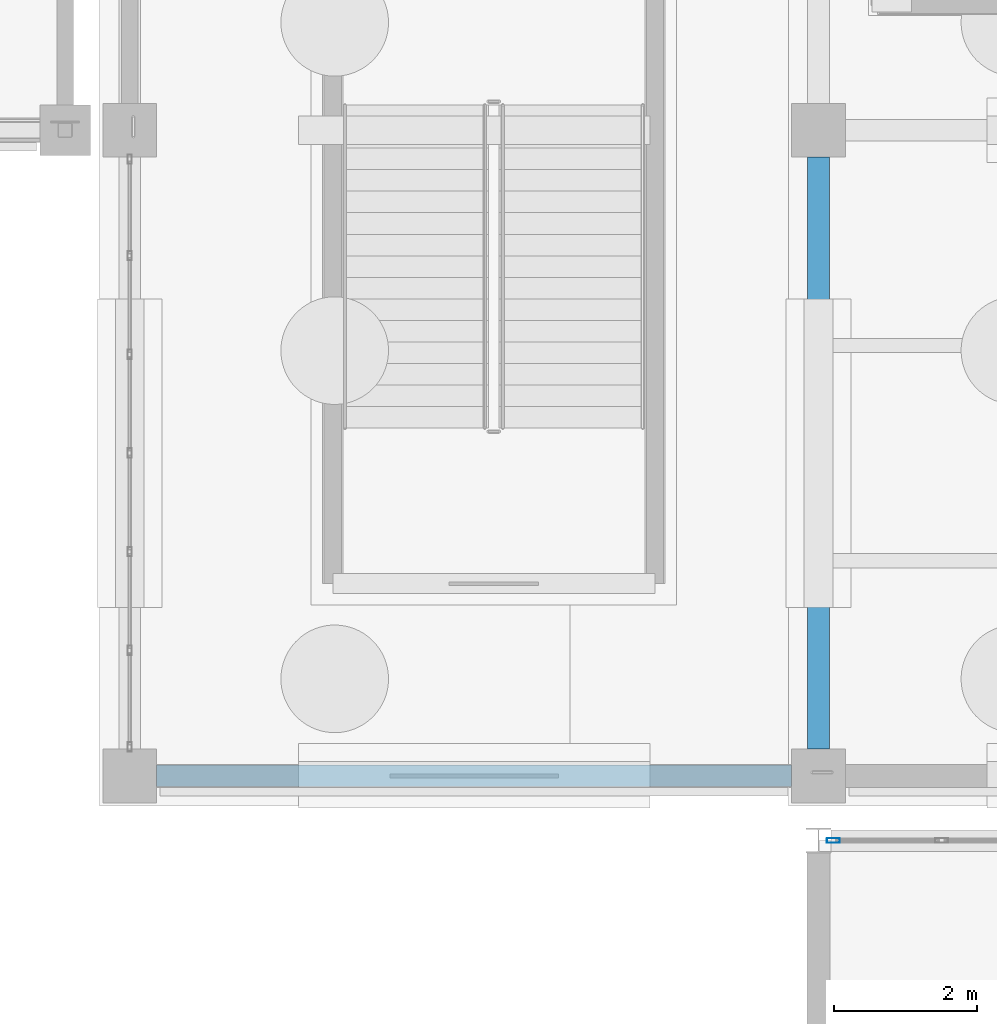
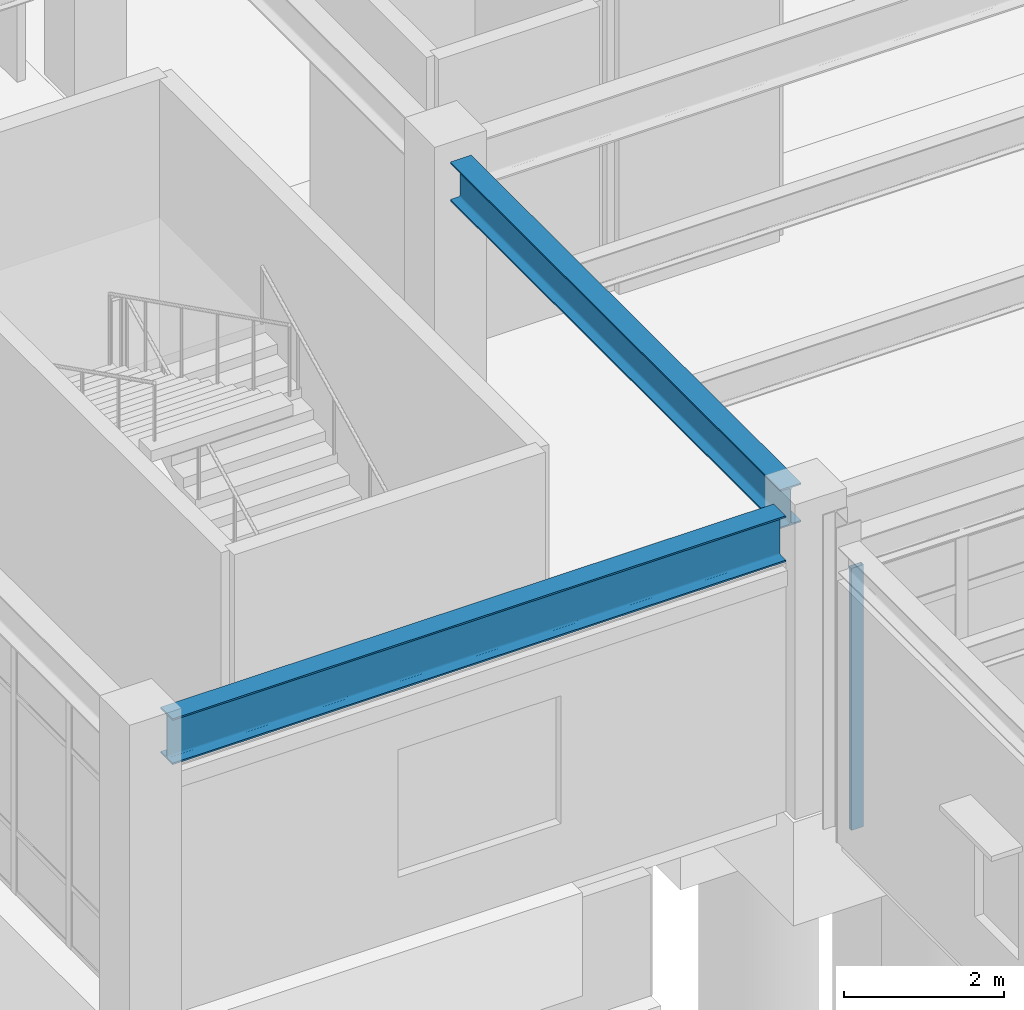
# One storey, part 29 of 139: 2 beams, 1 member, 1 element without a shape of its own.
"""IFC4 building model written with IfcOpenShell, lengths in metres."""

from ifc_helpers import new_model, si_unit, direction, frame, origin, origin_2d, place, context, subcontext, project, spatial, hollow_rectangle, i_section, extrude, material, material_profile, profile_set, type_object, element, aggregate, save


model = new_model("IFC4")

# Units and contexts
model_context = context("Model", 3, precision=1e-05, world=origin(), true_north=direction((0.0, 1.0)))
body_context = subcontext(model_context, "Body", "Model", "MODEL_VIEW")
ifc_project = project(units=[si_unit("LENGTHUNIT", "METRE"), si_unit("AREAUNIT", "SQUARE_METRE"), si_unit("VOLUMEUNIT", "CUBIC_METRE"), si_unit("PLANEANGLEUNIT", "RADIAN"), si_unit("MASSUNIT", "GRAM", prefix="KILO")], contexts=[model_context])

# Site, building, storey
site_placement = place(None, origin())
site = spatial("IfcSite", under=ifc_project, at=site_placement, CompositionType="ELEMENT")
building_placement = place(site_placement, origin())
building = spatial("IfcBuilding", under=site, at=building_placement, Name="Canglan Escarpment Cableway Terminal", CompositionType="ELEMENT")
storey_placement = place(building_placement, frame((0.0, 0.0, 14.39990234375)))
storey = spatial("IfcBuildingStorey", under=building, at=storey_placement, Name="L03", CompositionType="ELEMENT", Elevation=14.39990234375)

# Beams
ifc_material_1 = material(Name="Steel Q355C", Category="steel")
ifc_material_profile_1 = material_profile(ifc_material_1, i_section(OverallWidth=0.302001953125, OverallDepth=0.593994140625, WebThickness=0.013916015625, FlangeThickness=0.02294921875, FilletRadius=0.028076171875, at=origin_2d()), Name="HM 594x302x14x23")
ifc_profile_set_1 = profile_set([ifc_material_profile_1], Name="Steel Q355C")
beam_type_1 = type_object("IfcBeamType", Name="BM-HM594", PredefinedType="BEAM", material=ifc_profile_set_1)
beam_1_placement = place(storey_placement, frame((147.199951171875, 34.375, 4.203125), z_axis=(0.0, 1.0, 0.0), x_axis=(-1.0, 0.0, 0.0)))
element("IfcBeam", 1, at=beam_1_placement, inside=storey, type_object=beam_type_1, Name="Primary transverse girder B-07", PredefinedType="BEAM", context=body_context, shape_type="SweptSolid", body=[
    extrude(i_section(OverallWidth=0.302001953125, OverallDepth=0.593994140625, WebThickness=0.013916015625, FlangeThickness=0.02294921875, FilletRadius=0.028076171875, at=origin_2d()), origin(), (0.0, 0.0, 1.0), 8.25),
])
ifc_material_profile_2 = material_profile(ifc_material_1, i_section(OverallWidth=0.300048828125, OverallDepth=0.699951171875, WebThickness=0.012939453125, FlangeThickness=0.02392578125, FilletRadius=0.028076171875, at=origin_2d()), Name="HN 700x300x13x24")
ifc_profile_set_2 = profile_set([ifc_material_profile_2], Name="Steel Q355C")
beam_type_2 = type_object("IfcBeamType", Name="BM-HN700", PredefinedType="BEAM", material=ifc_profile_set_2)
beam_2_placement = place(storey_placement, frame((137.97509765625, 34.0, 4.150146484375), z_axis=(1.0, 0.0, 0.0), x_axis=(0.0, 1.0, 0.0)))
element("IfcBeam", 2, at=beam_2_placement, inside=storey, type_object=beam_type_2, Name="Primary structural girder B-06", PredefinedType="BEAM", context=body_context, shape_type="SweptSolid", body=[
    extrude(i_section(OverallWidth=0.300048828125, OverallDepth=0.699951171875, WebThickness=0.012939453125, FlangeThickness=0.02392578125, FilletRadius=0.028076171875, at=origin_2d()), origin(), (0.0, 0.0, 1.0), 8.849853515625),
])

# Curtain wall, member
ifc_material_2 = material(Name="Anodized bronze aluminium and Low-E double glazing", Category="aluminium")
curtain_wall_type = type_object("IfcCurtainWallType", Name="CW-BAY-9250x4000", PredefinedType="NOTDEFINED", material=ifc_material_2)
curtain_wall_placement = place(storey_placement, origin())
curtain_wall = element("IfcCurtainWall", 3, at=curtain_wall_placement, inside=storey, type_object=curtain_wall_type, Name="Classical bay-between-piers glazed curtain wall CW-32", PredefinedType="NOTDEFINED")
ifc_material_3 = material(Name="Thermally broken anodized aluminium 6063-T6", Category="aluminium")
ifc_material_profile_3 = material_profile(ifc_material_3, hollow_rectangle(XDim=0.06494140625, YDim=0.179931640625, WallThickness=0.00390625, InnerFilletRadius=0.00390625, OuterFilletRadius=0.008056640625, at=origin_2d()), Name="ALU-MULL 65x180x4")
ifc_profile_set_3 = profile_set([ifc_material_profile_3], Name="Thermally broken anodized aluminium 6063-T6")
member_type = type_object("IfcMemberType", Name="CWM-03", PredefinedType="MULLION", material=ifc_profile_set_3)
member_placement = place(storey_placement, frame((147.407470703125, 33.10009765625, 0.0), z_axis=(0.0, 0.0, 1.0), x_axis=(0.0, -1.0, 0.0)))
member = element("IfcMember", 4, at=member_placement, type_object=member_type, Name="CW-32 mullion 7", PredefinedType="MULLION", context=body_context, shape_type="SweptSolid", body=[
    extrude(hollow_rectangle(XDim=0.06494140625, YDim=0.179931640625, WallThickness=0.00390625, InnerFilletRadius=0.00390625, OuterFilletRadius=0.008056640625, at=origin_2d()), origin(), (0.0, 0.0, 1.0), 3.9970703125),
])
aggregate(curtain_wall, [member])

save(model, "model.ifc")
